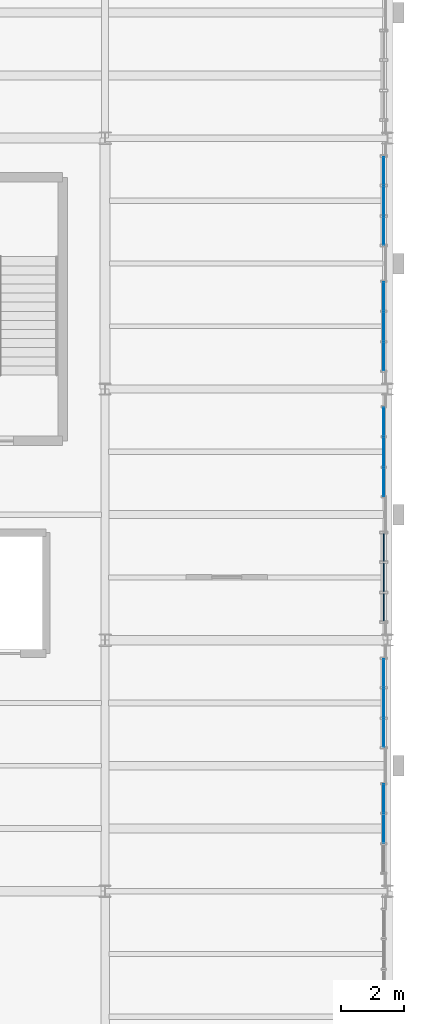
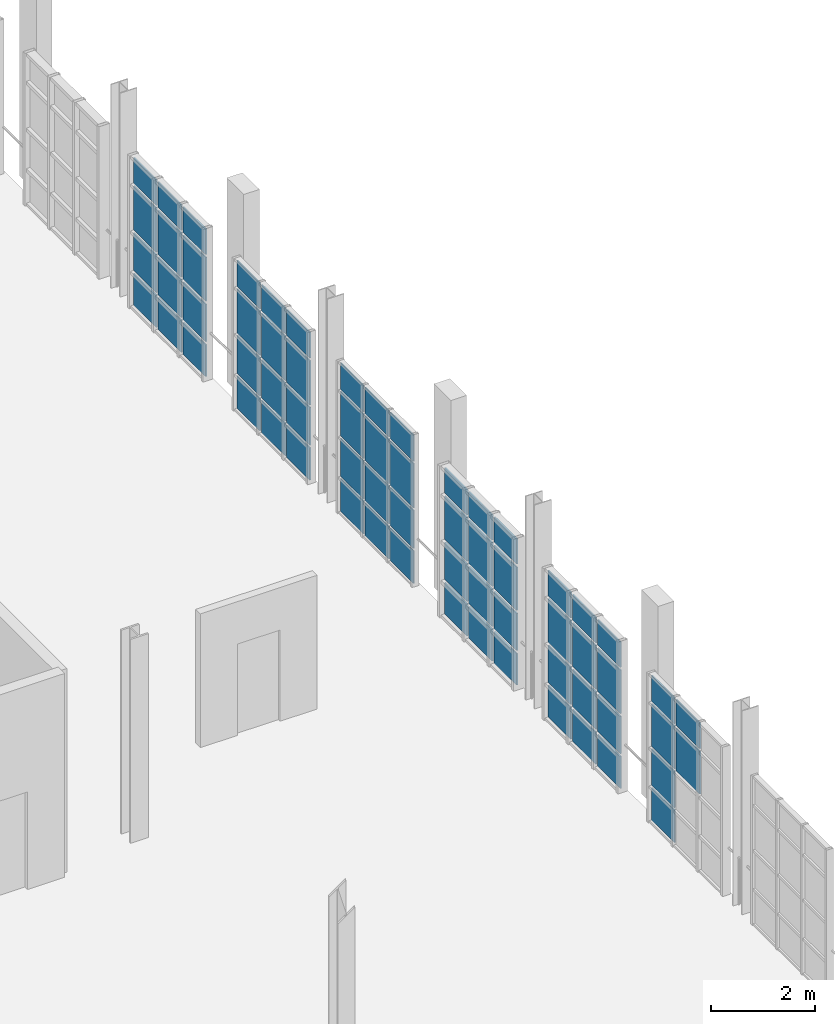
# One storey, part 92 of 122: 66 plates, 6 elements without a shape of their own.
"""IFC4 building model written with IfcOpenShell, lengths in metres."""

from ifc_helpers import new_model, si_unit, direction, frame, origin, origin_2d, place, context, subcontext, project, spatial, rectangle, extrude, material, layer, layer_set, type_object, element, aggregate, save


model = new_model("IFC4")

# Units and contexts
model_context = context("Model", 3, precision=1e-05, world=origin(), true_north=direction((0.0, 1.0)))
body_context = subcontext(model_context, "Body", "Model", "MODEL_VIEW")
ifc_project = project(units=[si_unit("LENGTHUNIT", "METRE"), si_unit("AREAUNIT", "SQUARE_METRE"), si_unit("VOLUMEUNIT", "CUBIC_METRE"), si_unit("PLANEANGLEUNIT", "RADIAN"), si_unit("MASSUNIT", "GRAM", prefix="KILO"), si_unit("THERMODYNAMICTEMPERATUREUNIT", "KELVIN"), si_unit("POWERUNIT", "WATT")], contexts=[model_context])

# Site, building, storey
site_placement = place(None, origin())
site = spatial("IfcSite", under=ifc_project, at=site_placement, CompositionType="ELEMENT")
building_placement = place(site_placement, origin())
building = spatial("IfcBuilding", under=site, at=building_placement, Name="Zelmaris Science Centre", CompositionType="ELEMENT")
storey_placement = place(building_placement, frame((0.0, 0.0, 10.800048828125)))
storey = spatial("IfcBuildingStorey", under=building, at=storey_placement, Name="L02", CompositionType="ELEMENT", Elevation=10.800048828125)

# Curtain wall, plates
ifc_material_1 = material(Name="Anodised architectural aluminium 6063-T6", Category="aluminium")
ifc_layer_1 = layer(ifc_material_1, 0.18994140625, Name="Anodised architectural aluminium 6063-T6")
ifc_layer_set_1 = layer_set([ifc_layer_1], Name="Anodised architectural aluminium 6063-T6")
curtain_wall_type_1 = type_object("IfcCurtainWallType", Name="Curtain Wall CW-01", PredefinedType="USERDEFINED", material=ifc_layer_set_1)
curtain_wall_1_placement = place(storey_placement, origin())
curtain_wall_1 = element("IfcCurtainWall", 1, at=curtain_wall_1_placement, inside=storey, type_object=curtain_wall_type_1, Name="L02 Unitised curtain wall 229", ObjectType="GLAZED CURTAIN WALL", PredefinedType="USERDEFINED")
ifc_material_2 = material(Name="Laminated hurricane-rated low-E insulated glazing", Category="glass")
ifc_layer_2 = layer(ifc_material_2, 0.031982421875, Name="Laminated hurricane-rated low-E insulated glazing")
ifc_layer_set_2 = layer_set([ifc_layer_2], Name="Laminated hurricane-rated low-E insulated glazing")
plate_type_1 = type_object("IfcPlateType", Name="Curtain Glazing Panel CWP-1 32mm", PredefinedType="CURTAIN_PANEL", material=ifc_layer_set_2)
plate_1_placement = place(storey_placement, frame((143.8798828125, 34.955322265625, 0.05712890625), z_axis=(0.0, 0.0, 1.0), x_axis=(0.0, -1.0, 0.0)))
plate_1 = element("IfcPlate", 2, at=plate_1_placement, type_object=plate_type_1, Name="CW-01 panel 1.1", PredefinedType="CURTAIN_PANEL", context=body_context, shape_type="SweptSolid", body=[
    extrude(rectangle(XDim=0.865234375, YDim=0.031982421875, at=origin_2d()), origin(), (0.0, 0.0, 1.0), 0.741943359375),
])
plate_2_placement = place(storey_placement, frame((143.8798828125, 34.955322265625, 0.870849609375), z_axis=(0.0, 0.0, 1.0), x_axis=(0.0, -1.0, 0.0)))
plate_2 = element("IfcPlate", 3, at=plate_2_placement, type_object=plate_type_1, Name="CW-01 panel 1.2", PredefinedType="CURTAIN_PANEL", context=body_context, shape_type="SweptSolid", body=[
    extrude(rectangle(XDim=0.865234375, YDim=0.031982421875, at=origin_2d()), origin(), (0.0, 0.0, 1.0), 0.8720703125),
])
plate_3_placement = place(storey_placement, frame((143.8798828125, 34.955322265625, 1.81494140625), z_axis=(0.0, 0.0, 1.0), x_axis=(0.0, -1.0, 0.0)))
plate_3 = element("IfcPlate", 4, at=plate_3_placement, type_object=plate_type_1, Name="CW-01 panel 1.3", PredefinedType="CURTAIN_PANEL", context=body_context, shape_type="SweptSolid", body=[
    extrude(rectangle(XDim=0.865234375, YDim=0.031982421875, at=origin_2d()), origin(), (0.0, 0.0, 1.0), 1.02197265625),
])
plate_4_placement = place(storey_placement, frame((143.8798828125, 34.955322265625, 2.90869140625), z_axis=(0.0, 0.0, 1.0), x_axis=(0.0, -1.0, 0.0)))
plate_4 = element("IfcPlate", 5, at=plate_4_placement, type_object=plate_type_1, Name="CW-01 panel 1.4", PredefinedType="CURTAIN_PANEL", context=body_context, shape_type="SweptSolid", body=[
    extrude(rectangle(XDim=0.865234375, YDim=0.031982421875, at=origin_2d()), origin(), (0.0, 0.0, 1.0), 0.592041015625),
])
plate_5_placement = place(storey_placement, frame((143.8798828125, 34.0, 0.05712890625), z_axis=(0.0, 0.0, 1.0), x_axis=(0.0, -1.0, 0.0)))
plate_5 = element("IfcPlate", 6, at=plate_5_placement, type_object=plate_type_1, Name="CW-01 panel 2.1", PredefinedType="CURTAIN_PANEL", context=body_context, shape_type="SweptSolid", body=[
    extrude(rectangle(XDim=0.9013671875, YDim=0.031982421875, at=origin_2d()), origin(), (0.0, 0.0, 1.0), 0.741943359375),
])
plate_6_placement = place(storey_placement, frame((143.8798828125, 34.0, 0.870849609375), z_axis=(0.0, 0.0, 1.0), x_axis=(0.0, -1.0, 0.0)))
plate_6 = element("IfcPlate", 7, at=plate_6_placement, type_object=plate_type_1, Name="CW-01 panel 2.2", PredefinedType="CURTAIN_PANEL", context=body_context, shape_type="SweptSolid", body=[
    extrude(rectangle(XDim=0.9013671875, YDim=0.031982421875, at=origin_2d()), origin(), (0.0, 0.0, 1.0), 0.8720703125),
])
plate_7_placement = place(storey_placement, frame((143.8798828125, 34.0, 1.81494140625), z_axis=(0.0, 0.0, 1.0), x_axis=(0.0, -1.0, 0.0)))
plate_7 = element("IfcPlate", 8, at=plate_7_placement, type_object=plate_type_1, Name="CW-01 panel 2.3", PredefinedType="CURTAIN_PANEL", context=body_context, shape_type="SweptSolid", body=[
    extrude(rectangle(XDim=0.9013671875, YDim=0.031982421875, at=origin_2d()), origin(), (0.0, 0.0, 1.0), 1.02197265625),
])
plate_8_placement = place(storey_placement, frame((143.8798828125, 34.0, 2.90869140625), z_axis=(0.0, 0.0, 1.0), x_axis=(0.0, -1.0, 0.0)))
plate_8 = element("IfcPlate", 9, at=plate_8_placement, type_object=plate_type_1, Name="CW-01 panel 2.4", PredefinedType="CURTAIN_PANEL", context=body_context, shape_type="SweptSolid", body=[
    extrude(rectangle(XDim=0.9013671875, YDim=0.031982421875, at=origin_2d()), origin(), (0.0, 0.0, 1.0), 0.592041015625),
])
plate_9_placement = place(storey_placement, frame((143.8798828125, 33.044677734375, 0.05712890625), z_axis=(0.0, 0.0, 1.0), x_axis=(0.0, -1.0, 0.0)))
plate_9 = element("IfcPlate", 10, at=plate_9_placement, type_object=plate_type_1, Name="CW-01 panel 3.1", PredefinedType="CURTAIN_PANEL", context=body_context, shape_type="SweptSolid", body=[
    extrude(rectangle(XDim=0.865234375, YDim=0.031982421875, at=origin_2d()), origin(), (0.0, 0.0, 1.0), 0.741943359375),
])
plate_10_placement = place(storey_placement, frame((143.8798828125, 33.044677734375, 0.870849609375), z_axis=(0.0, 0.0, 1.0), x_axis=(0.0, -1.0, 0.0)))
plate_10 = element("IfcPlate", 11, at=plate_10_placement, type_object=plate_type_1, Name="CW-01 panel 3.2", PredefinedType="CURTAIN_PANEL", context=body_context, shape_type="SweptSolid", body=[
    extrude(rectangle(XDim=0.865234375, YDim=0.031982421875, at=origin_2d()), origin(), (0.0, 0.0, 1.0), 0.8720703125),
])
plate_11_placement = place(storey_placement, frame((143.8798828125, 33.044677734375, 1.81494140625), z_axis=(0.0, 0.0, 1.0), x_axis=(0.0, -1.0, 0.0)))
plate_11 = element("IfcPlate", 12, at=plate_11_placement, type_object=plate_type_1, Name="CW-01 panel 3.3", PredefinedType="CURTAIN_PANEL", context=body_context, shape_type="SweptSolid", body=[
    extrude(rectangle(XDim=0.865234375, YDim=0.031982421875, at=origin_2d()), origin(), (0.0, 0.0, 1.0), 1.02197265625),
])
plate_12_placement = place(storey_placement, frame((143.8798828125, 33.044677734375, 2.90869140625), z_axis=(0.0, 0.0, 1.0), x_axis=(0.0, -1.0, 0.0)))
plate_12 = element("IfcPlate", 13, at=plate_12_placement, type_object=plate_type_1, Name="CW-01 panel 3.4", PredefinedType="CURTAIN_PANEL", context=body_context, shape_type="SweptSolid", body=[
    extrude(rectangle(XDim=0.865234375, YDim=0.031982421875, at=origin_2d()), origin(), (0.0, 0.0, 1.0), 0.592041015625),
])
aggregate(curtain_wall_1, [plate_1, plate_2, plate_3, plate_4, plate_5, plate_6, plate_7, plate_8, plate_9, plate_10, plate_11, plate_12])

ifc_layer_3 = layer(ifc_material_1, 0.199951171875, Name="Anodised architectural aluminium 6063-T6")
ifc_layer_set_3 = layer_set([ifc_layer_3], Name="Anodised architectural aluminium 6063-T6")
curtain_wall_type_2 = type_object("IfcCurtainWallType", Name="Curtain Wall CW-02", PredefinedType="USERDEFINED", material=ifc_layer_set_3)
curtain_wall_2_placement = place(storey_placement, origin())
curtain_wall_2 = element("IfcCurtainWall", 14, at=curtain_wall_2_placement, inside=storey, type_object=curtain_wall_type_2, Name="L02 Unitised curtain wall 226", ObjectType="GLAZED CURTAIN WALL", PredefinedType="USERDEFINED")
ifc_layer_4 = layer(ifc_material_2, 0.028076171875, Name="Laminated hurricane-rated low-E insulated glazing")
ifc_layer_set_4 = layer_set([ifc_layer_4], Name="Laminated hurricane-rated low-E insulated glazing")
plate_type_2 = type_object("IfcPlateType", Name="Curtain Glazing Panel CWP-2 28mm", PredefinedType="CURTAIN_PANEL", material=ifc_layer_set_4)
plate_13_placement = place(storey_placement, frame((143.8798828125, 46.95654296875, 0.052001953125), z_axis=(0.0, 0.0, 1.0), x_axis=(0.0, -1.0, 0.0)))
plate_13 = element("IfcPlate", 15, at=plate_13_placement, type_object=plate_type_2, Name="CW-02 panel 1.1", PredefinedType="CURTAIN_PANEL", context=body_context, shape_type="SweptSolid", body=[
    extrude(rectangle(XDim=0.872802734375, YDim=0.028076171875, at=origin_2d()), origin(), (0.0, 0.0, 1.0), 0.74951171875),
])
plate_14_placement = place(storey_placement, frame((143.8798828125, 46.95654296875, 0.86865234375), z_axis=(0.0, 0.0, 1.0), x_axis=(0.0, -1.0, 0.0)))
plate_14 = element("IfcPlate", 16, at=plate_14_placement, type_object=plate_type_2, Name="CW-02 panel 1.2", PredefinedType="CURTAIN_PANEL", context=body_context, shape_type="SweptSolid", body=[
    extrude(rectangle(XDim=0.872802734375, YDim=0.028076171875, at=origin_2d()), origin(), (0.0, 0.0, 1.0), 0.886962890625),
])
plate_15_placement = place(storey_placement, frame((143.8798828125, 46.95654296875, 1.822509765625), z_axis=(0.0, 0.0, 1.0), x_axis=(0.0, -1.0, 0.0)))
plate_15 = element("IfcPlate", 17, at=plate_15_placement, type_object=plate_type_2, Name="CW-02 panel 1.3", PredefinedType="CURTAIN_PANEL", context=body_context, shape_type="SweptSolid", body=[
    extrude(rectangle(XDim=0.872802734375, YDim=0.028076171875, at=origin_2d()), origin(), (0.0, 0.0, 1.0), 1.037109375),
])
plate_16_placement = place(storey_placement, frame((143.8798828125, 46.95654296875, 2.926513671875), z_axis=(0.0, 0.0, 1.0), x_axis=(0.0, -1.0, 0.0)))
plate_16 = element("IfcPlate", 18, at=plate_16_placement, type_object=plate_type_2, Name="CW-02 panel 1.4", PredefinedType="CURTAIN_PANEL", context=body_context, shape_type="SweptSolid", body=[
    extrude(rectangle(XDim=0.872802734375, YDim=0.028076171875, at=origin_2d()), origin(), (0.0, 0.0, 1.0), 0.599609375),
])
plate_17_placement = place(storey_placement, frame((143.8798828125, 46.0, 0.052001953125), z_axis=(0.0, 0.0, 1.0), x_axis=(0.0, -1.0, 0.0)))
plate_17 = element("IfcPlate", 19, at=plate_17_placement, type_object=plate_type_2, Name="CW-02 panel 2.1", PredefinedType="CURTAIN_PANEL", context=body_context, shape_type="SweptSolid", body=[
    extrude(rectangle(XDim=0.90625, YDim=0.028076171875, at=origin_2d()), origin(), (0.0, 0.0, 1.0), 0.74951171875),
])
plate_18_placement = place(storey_placement, frame((143.8798828125, 46.0, 0.86865234375), z_axis=(0.0, 0.0, 1.0), x_axis=(0.0, -1.0, 0.0)))
plate_18 = element("IfcPlate", 20, at=plate_18_placement, type_object=plate_type_2, Name="CW-02 panel 2.2", PredefinedType="CURTAIN_PANEL", context=body_context, shape_type="SweptSolid", body=[
    extrude(rectangle(XDim=0.90625, YDim=0.028076171875, at=origin_2d()), origin(), (0.0, 0.0, 1.0), 0.886962890625),
])
plate_19_placement = place(storey_placement, frame((143.8798828125, 46.0, 1.822509765625), z_axis=(0.0, 0.0, 1.0), x_axis=(0.0, -1.0, 0.0)))
plate_19 = element("IfcPlate", 21, at=plate_19_placement, type_object=plate_type_2, Name="CW-02 panel 2.3", PredefinedType="CURTAIN_PANEL", context=body_context, shape_type="SweptSolid", body=[
    extrude(rectangle(XDim=0.90625, YDim=0.028076171875, at=origin_2d()), origin(), (0.0, 0.0, 1.0), 1.037109375),
])
plate_20_placement = place(storey_placement, frame((143.8798828125, 46.0, 2.926513671875), z_axis=(0.0, 0.0, 1.0), x_axis=(0.0, -1.0, 0.0)))
plate_20 = element("IfcPlate", 22, at=plate_20_placement, type_object=plate_type_2, Name="CW-02 panel 2.4", PredefinedType="CURTAIN_PANEL", context=body_context, shape_type="SweptSolid", body=[
    extrude(rectangle(XDim=0.90625, YDim=0.028076171875, at=origin_2d()), origin(), (0.0, 0.0, 1.0), 0.599609375),
])
plate_21_placement = place(storey_placement, frame((143.8798828125, 45.04345703125, 0.052001953125), z_axis=(0.0, 0.0, 1.0), x_axis=(0.0, -1.0, 0.0)))
plate_21 = element("IfcPlate", 23, at=plate_21_placement, type_object=plate_type_2, Name="CW-02 panel 3.1", PredefinedType="CURTAIN_PANEL", context=body_context, shape_type="SweptSolid", body=[
    extrude(rectangle(XDim=0.872802734375, YDim=0.028076171875, at=origin_2d()), origin(), (0.0, 0.0, 1.0), 0.74951171875),
])
plate_22_placement = place(storey_placement, frame((143.8798828125, 45.04345703125, 0.86865234375), z_axis=(0.0, 0.0, 1.0), x_axis=(0.0, -1.0, 0.0)))
plate_22 = element("IfcPlate", 24, at=plate_22_placement, type_object=plate_type_2, Name="CW-02 panel 3.2", PredefinedType="CURTAIN_PANEL", context=body_context, shape_type="SweptSolid", body=[
    extrude(rectangle(XDim=0.872802734375, YDim=0.028076171875, at=origin_2d()), origin(), (0.0, 0.0, 1.0), 0.886962890625),
])
plate_23_placement = place(storey_placement, frame((143.8798828125, 45.04345703125, 1.822509765625), z_axis=(0.0, 0.0, 1.0), x_axis=(0.0, -1.0, 0.0)))
plate_23 = element("IfcPlate", 25, at=plate_23_placement, type_object=plate_type_2, Name="CW-02 panel 3.3", PredefinedType="CURTAIN_PANEL", context=body_context, shape_type="SweptSolid", body=[
    extrude(rectangle(XDim=0.872802734375, YDim=0.028076171875, at=origin_2d()), origin(), (0.0, 0.0, 1.0), 1.037109375),
])
plate_24_placement = place(storey_placement, frame((143.8798828125, 45.04345703125, 2.926513671875), z_axis=(0.0, 0.0, 1.0), x_axis=(0.0, -1.0, 0.0)))
plate_24 = element("IfcPlate", 26, at=plate_24_placement, type_object=plate_type_2, Name="CW-02 panel 3.4", PredefinedType="CURTAIN_PANEL", context=body_context, shape_type="SweptSolid", body=[
    extrude(rectangle(XDim=0.872802734375, YDim=0.028076171875, at=origin_2d()), origin(), (0.0, 0.0, 1.0), 0.599609375),
])
aggregate(curtain_wall_2, [plate_13, plate_14, plate_15, plate_16, plate_17, plate_18, plate_19, plate_20, plate_21, plate_22, plate_23, plate_24])

curtain_wall_3_placement = place(storey_placement, origin())
curtain_wall_3 = element("IfcCurtainWall", 27, at=curtain_wall_3_placement, inside=storey, type_object=curtain_wall_type_2, Name="L02 Unitised curtain wall 230", ObjectType="GLAZED CURTAIN WALL", PredefinedType="USERDEFINED")
plate_25_placement = place(storey_placement, frame((143.8798828125, 30.95654296875, 0.052001953125), z_axis=(0.0, 0.0, 1.0), x_axis=(0.0, -1.0, 0.0)))
plate_25 = element("IfcPlate", 28, at=plate_25_placement, type_object=plate_type_2, Name="CW-02 panel 1.1", PredefinedType="CURTAIN_PANEL", context=body_context, shape_type="SweptSolid", body=[
    extrude(rectangle(XDim=0.872802734375, YDim=0.028076171875, at=origin_2d()), origin(), (0.0, 0.0, 1.0), 0.74951171875),
])
plate_26_placement = place(storey_placement, frame((143.8798828125, 30.95654296875, 0.868408203125), z_axis=(0.0, 0.0, 1.0), x_axis=(0.0, -1.0, 0.0)))
plate_26 = element("IfcPlate", 29, at=plate_26_placement, type_object=plate_type_2, Name="CW-02 panel 1.2", PredefinedType="CURTAIN_PANEL", context=body_context, shape_type="SweptSolid", body=[
    extrude(rectangle(XDim=0.872802734375, YDim=0.028076171875, at=origin_2d()), origin(), (0.0, 0.0, 1.0), 0.876953125),
])
plate_27_placement = place(storey_placement, frame((143.8798828125, 30.95654296875, 1.8125), z_axis=(0.0, 0.0, 1.0), x_axis=(0.0, -1.0, 0.0)))
plate_27 = element("IfcPlate", 30, at=plate_27_placement, type_object=plate_type_2, Name="CW-02 panel 1.3", PredefinedType="CURTAIN_PANEL", context=body_context, shape_type="SweptSolid", body=[
    extrude(rectangle(XDim=0.872802734375, YDim=0.028076171875, at=origin_2d()), origin(), (0.0, 0.0, 1.0), 1.027099609375),
])
plate_28_placement = place(storey_placement, frame((143.8798828125, 30.95654296875, 2.906494140625), z_axis=(0.0, 0.0, 1.0), x_axis=(0.0, -1.0, 0.0)))
plate_28 = element("IfcPlate", 31, at=plate_28_placement, type_object=plate_type_2, Name="CW-02 panel 1.4", PredefinedType="CURTAIN_PANEL", context=body_context, shape_type="SweptSolid", body=[
    extrude(rectangle(XDim=0.872802734375, YDim=0.028076171875, at=origin_2d()), origin(), (0.0, 0.0, 1.0), 0.599609375),
])
plate_29_placement = place(storey_placement, frame((143.8798828125, 30.0, 0.052001953125), z_axis=(0.0, 0.0, 1.0), x_axis=(0.0, -1.0, 0.0)))
plate_29 = element("IfcPlate", 32, at=plate_29_placement, type_object=plate_type_2, Name="CW-02 panel 2.1", PredefinedType="CURTAIN_PANEL", context=body_context, shape_type="SweptSolid", body=[
    extrude(rectangle(XDim=0.90625, YDim=0.028076171875, at=origin_2d()), origin(), (0.0, 0.0, 1.0), 0.74951171875),
])
plate_30_placement = place(storey_placement, frame((143.8798828125, 30.0, 0.868408203125), z_axis=(0.0, 0.0, 1.0), x_axis=(0.0, -1.0, 0.0)))
plate_30 = element("IfcPlate", 33, at=plate_30_placement, type_object=plate_type_2, Name="CW-02 panel 2.2", PredefinedType="CURTAIN_PANEL", context=body_context, shape_type="SweptSolid", body=[
    extrude(rectangle(XDim=0.90625, YDim=0.028076171875, at=origin_2d()), origin(), (0.0, 0.0, 1.0), 0.876953125),
])
plate_31_placement = place(storey_placement, frame((143.8798828125, 30.0, 1.8125), z_axis=(0.0, 0.0, 1.0), x_axis=(0.0, -1.0, 0.0)))
plate_31 = element("IfcPlate", 34, at=plate_31_placement, type_object=plate_type_2, Name="CW-02 panel 2.3", PredefinedType="CURTAIN_PANEL", context=body_context, shape_type="SweptSolid", body=[
    extrude(rectangle(XDim=0.90625, YDim=0.028076171875, at=origin_2d()), origin(), (0.0, 0.0, 1.0), 1.027099609375),
])
plate_32_placement = place(storey_placement, frame((143.8798828125, 30.0, 2.906494140625), z_axis=(0.0, 0.0, 1.0), x_axis=(0.0, -1.0, 0.0)))
plate_32 = element("IfcPlate", 35, at=plate_32_placement, type_object=plate_type_2, Name="CW-02 panel 2.4", PredefinedType="CURTAIN_PANEL", context=body_context, shape_type="SweptSolid", body=[
    extrude(rectangle(XDim=0.90625, YDim=0.028076171875, at=origin_2d()), origin(), (0.0, 0.0, 1.0), 0.599609375),
])
plate_33_placement = place(storey_placement, frame((143.8798828125, 29.04345703125, 0.052001953125), z_axis=(0.0, 0.0, 1.0), x_axis=(0.0, -1.0, 0.0)))
plate_33 = element("IfcPlate", 36, at=plate_33_placement, type_object=plate_type_2, Name="CW-02 panel 3.1", PredefinedType="CURTAIN_PANEL", context=body_context, shape_type="SweptSolid", body=[
    extrude(rectangle(XDim=0.872802734375, YDim=0.028076171875, at=origin_2d()), origin(), (0.0, 0.0, 1.0), 0.74951171875),
])
plate_34_placement = place(storey_placement, frame((143.8798828125, 29.04345703125, 0.868408203125), z_axis=(0.0, 0.0, 1.0), x_axis=(0.0, -1.0, 0.0)))
plate_34 = element("IfcPlate", 37, at=plate_34_placement, type_object=plate_type_2, Name="CW-02 panel 3.2", PredefinedType="CURTAIN_PANEL", context=body_context, shape_type="SweptSolid", body=[
    extrude(rectangle(XDim=0.872802734375, YDim=0.028076171875, at=origin_2d()), origin(), (0.0, 0.0, 1.0), 0.876953125),
])
plate_35_placement = place(storey_placement, frame((143.8798828125, 29.04345703125, 1.8125), z_axis=(0.0, 0.0, 1.0), x_axis=(0.0, -1.0, 0.0)))
plate_35 = element("IfcPlate", 38, at=plate_35_placement, type_object=plate_type_2, Name="CW-02 panel 3.3", PredefinedType="CURTAIN_PANEL", context=body_context, shape_type="SweptSolid", body=[
    extrude(rectangle(XDim=0.872802734375, YDim=0.028076171875, at=origin_2d()), origin(), (0.0, 0.0, 1.0), 1.027099609375),
])
plate_36_placement = place(storey_placement, frame((143.8798828125, 29.04345703125, 2.906494140625), z_axis=(0.0, 0.0, 1.0), x_axis=(0.0, -1.0, 0.0)))
plate_36 = element("IfcPlate", 39, at=plate_36_placement, type_object=plate_type_2, Name="CW-02 panel 3.4", PredefinedType="CURTAIN_PANEL", context=body_context, shape_type="SweptSolid", body=[
    extrude(rectangle(XDim=0.872802734375, YDim=0.028076171875, at=origin_2d()), origin(), (0.0, 0.0, 1.0), 0.599609375),
])
aggregate(curtain_wall_3, [plate_25, plate_26, plate_27, plate_28, plate_29, plate_30, plate_31, plate_32, plate_33, plate_34, plate_35, plate_36])

ifc_layer_5 = layer(ifc_material_1, 0.2099609375, Name="Anodised architectural aluminium 6063-T6")
ifc_layer_set_5 = layer_set([ifc_layer_5], Name="Anodised architectural aluminium 6063-T6")
curtain_wall_type_3 = type_object("IfcCurtainWallType", Name="Curtain Wall CW-03", PredefinedType="USERDEFINED", material=ifc_layer_set_5)
curtain_wall_4_placement = place(storey_placement, origin())
curtain_wall_4 = element("IfcCurtainWall", 40, at=curtain_wall_4_placement, inside=storey, type_object=curtain_wall_type_3, Name="L02 Unitised curtain wall 227", ObjectType="GLAZED CURTAIN WALL", PredefinedType="USERDEFINED")
ifc_layer_6 = layer(ifc_material_2, 0.02587890625, Name="Laminated hurricane-rated low-E insulated glazing")
ifc_layer_set_6 = layer_set([ifc_layer_6], Name="Laminated hurricane-rated low-E insulated glazing")
plate_type_3 = type_object("IfcPlateType", Name="Curtain Glazing Panel CWP-3 26mm", PredefinedType="CURTAIN_PANEL", material=ifc_layer_set_6)
plate_37_placement = place(storey_placement, frame((143.8798828125, 42.958984375, 0.0419921875), z_axis=(0.0, 0.0, 1.0), x_axis=(0.0, -1.0, 0.0)))
plate_37 = element("IfcPlate", 41, at=plate_37_placement, type_object=plate_type_3, Name="CW-03 panel 1.1", PredefinedType="CURTAIN_PANEL", context=body_context, shape_type="SweptSolid", body=[
    extrude(rectangle(XDim=0.887939453125, YDim=0.02587890625, at=origin_2d()), origin(), (0.0, 0.0, 1.0), 0.764404296875),
])
plate_38_placement = place(storey_placement, frame((143.8798828125, 42.958984375, 0.863525390625), z_axis=(0.0, 0.0, 1.0), x_axis=(0.0, -1.0, 0.0)))
plate_38 = element("IfcPlate", 42, at=plate_38_placement, type_object=plate_type_3, Name="CW-03 panel 1.2", PredefinedType="CURTAIN_PANEL", context=body_context, shape_type="SweptSolid", body=[
    extrude(rectangle(XDim=0.887939453125, YDim=0.02587890625, at=origin_2d()), origin(), (0.0, 0.0, 1.0), 0.8935546875),
])
plate_39_placement = place(storey_placement, frame((143.8798828125, 42.958984375, 1.81396484375), z_axis=(0.0, 0.0, 1.0), x_axis=(0.0, -1.0, 0.0)))
plate_39 = element("IfcPlate", 43, at=plate_39_placement, type_object=plate_type_3, Name="CW-03 panel 1.3", PredefinedType="CURTAIN_PANEL", context=body_context, shape_type="SweptSolid", body=[
    extrude(rectangle(XDim=0.887939453125, YDim=0.02587890625, at=origin_2d()), origin(), (0.0, 0.0, 1.0), 1.04345703125),
])
plate_40_placement = place(storey_placement, frame((143.8798828125, 42.958984375, 2.91455078125), z_axis=(0.0, 0.0, 1.0), x_axis=(0.0, -1.0, 0.0)))
plate_40 = element("IfcPlate", 44, at=plate_40_placement, type_object=plate_type_3, Name="CW-03 panel 1.4", PredefinedType="CURTAIN_PANEL", context=body_context, shape_type="SweptSolid", body=[
    extrude(rectangle(XDim=0.887939453125, YDim=0.02587890625, at=origin_2d()), origin(), (0.0, 0.0, 1.0), 0.614501953125),
])
plate_41_placement = place(storey_placement, frame((143.8798828125, 42.0, 0.0419921875), z_axis=(0.0, 0.0, 1.0), x_axis=(0.0, -1.0, 0.0)))
plate_41 = element("IfcPlate", 45, at=plate_41_placement, type_object=plate_type_3, Name="CW-03 panel 2.1", PredefinedType="CURTAIN_PANEL", context=body_context, shape_type="SweptSolid", body=[
    extrude(rectangle(XDim=0.916259765625, YDim=0.02587890625, at=origin_2d()), origin(), (0.0, 0.0, 1.0), 0.764404296875),
])
plate_42_placement = place(storey_placement, frame((143.8798828125, 42.0, 0.863525390625), z_axis=(0.0, 0.0, 1.0), x_axis=(0.0, -1.0, 0.0)))
plate_42 = element("IfcPlate", 46, at=plate_42_placement, type_object=plate_type_3, Name="CW-03 panel 2.2", PredefinedType="CURTAIN_PANEL", context=body_context, shape_type="SweptSolid", body=[
    extrude(rectangle(XDim=0.916259765625, YDim=0.02587890625, at=origin_2d()), origin(), (0.0, 0.0, 1.0), 0.8935546875),
])
plate_43_placement = place(storey_placement, frame((143.8798828125, 42.0, 1.81396484375), z_axis=(0.0, 0.0, 1.0), x_axis=(0.0, -1.0, 0.0)))
plate_43 = element("IfcPlate", 47, at=plate_43_placement, type_object=plate_type_3, Name="CW-03 panel 2.3", PredefinedType="CURTAIN_PANEL", context=body_context, shape_type="SweptSolid", body=[
    extrude(rectangle(XDim=0.916259765625, YDim=0.02587890625, at=origin_2d()), origin(), (0.0, 0.0, 1.0), 1.04345703125),
])
plate_44_placement = place(storey_placement, frame((143.8798828125, 42.0, 2.91455078125), z_axis=(0.0, 0.0, 1.0), x_axis=(0.0, -1.0, 0.0)))
plate_44 = element("IfcPlate", 48, at=plate_44_placement, type_object=plate_type_3, Name="CW-03 panel 2.4", PredefinedType="CURTAIN_PANEL", context=body_context, shape_type="SweptSolid", body=[
    extrude(rectangle(XDim=0.916259765625, YDim=0.02587890625, at=origin_2d()), origin(), (0.0, 0.0, 1.0), 0.614501953125),
])
plate_45_placement = place(storey_placement, frame((143.8798828125, 41.041015625, 0.0419921875), z_axis=(0.0, 0.0, 1.0), x_axis=(0.0, -1.0, 0.0)))
plate_45 = element("IfcPlate", 49, at=plate_45_placement, type_object=plate_type_3, Name="CW-03 panel 3.1", PredefinedType="CURTAIN_PANEL", context=body_context, shape_type="SweptSolid", body=[
    extrude(rectangle(XDim=0.887939453125, YDim=0.02587890625, at=origin_2d()), origin(), (0.0, 0.0, 1.0), 0.764404296875),
])
plate_46_placement = place(storey_placement, frame((143.8798828125, 41.041015625, 0.863525390625), z_axis=(0.0, 0.0, 1.0), x_axis=(0.0, -1.0, 0.0)))
plate_46 = element("IfcPlate", 50, at=plate_46_placement, type_object=plate_type_3, Name="CW-03 panel 3.2", PredefinedType="CURTAIN_PANEL", context=body_context, shape_type="SweptSolid", body=[
    extrude(rectangle(XDim=0.887939453125, YDim=0.02587890625, at=origin_2d()), origin(), (0.0, 0.0, 1.0), 0.8935546875),
])
plate_47_placement = place(storey_placement, frame((143.8798828125, 41.041015625, 1.81396484375), z_axis=(0.0, 0.0, 1.0), x_axis=(0.0, -1.0, 0.0)))
plate_47 = element("IfcPlate", 51, at=plate_47_placement, type_object=plate_type_3, Name="CW-03 panel 3.3", PredefinedType="CURTAIN_PANEL", context=body_context, shape_type="SweptSolid", body=[
    extrude(rectangle(XDim=0.887939453125, YDim=0.02587890625, at=origin_2d()), origin(), (0.0, 0.0, 1.0), 1.04345703125),
])
plate_48_placement = place(storey_placement, frame((143.8798828125, 41.041015625, 2.91455078125), z_axis=(0.0, 0.0, 1.0), x_axis=(0.0, -1.0, 0.0)))
plate_48 = element("IfcPlate", 52, at=plate_48_placement, type_object=plate_type_3, Name="CW-03 panel 3.4", PredefinedType="CURTAIN_PANEL", context=body_context, shape_type="SweptSolid", body=[
    extrude(rectangle(XDim=0.887939453125, YDim=0.02587890625, at=origin_2d()), origin(), (0.0, 0.0, 1.0), 0.614501953125),
])
aggregate(curtain_wall_4, [plate_37, plate_38, plate_39, plate_40, plate_41, plate_42, plate_43, plate_44, plate_45, plate_46, plate_47, plate_48])

curtain_wall_5_placement = place(storey_placement, origin())
curtain_wall_5 = element("IfcCurtainWall", 53, at=curtain_wall_5_placement, inside=storey, type_object=curtain_wall_type_3, Name="L02 Unitised curtain wall 231", ObjectType="GLAZED CURTAIN WALL", PredefinedType="USERDEFINED")
plate_49_placement = place(storey_placement, frame((143.8798828125, 26.958984375, 0.0419921875), z_axis=(0.0, 0.0, 1.0), x_axis=(0.0, -1.0, 0.0)))
plate_49 = element("IfcPlate", 54, at=plate_49_placement, type_object=plate_type_3, Name="CW-03 panel 1.1", PredefinedType="CURTAIN_PANEL", context=body_context, shape_type="SweptSolid", body=[
    extrude(rectangle(XDim=0.887939453125, YDim=0.02587890625, at=origin_2d()), origin(), (0.0, 0.0, 1.0), 0.764404296875),
])
plate_50_placement = place(storey_placement, frame((143.8798828125, 26.958984375, 0.863525390625), z_axis=(0.0, 0.0, 1.0), x_axis=(0.0, -1.0, 0.0)))
plate_50 = element("IfcPlate", 55, at=plate_50_placement, type_object=plate_type_3, Name="CW-03 panel 1.2", PredefinedType="CURTAIN_PANEL", context=body_context, shape_type="SweptSolid", body=[
    extrude(rectangle(XDim=0.887939453125, YDim=0.02587890625, at=origin_2d()), origin(), (0.0, 0.0, 1.0), 0.857421875),
])
plate_51_placement = place(storey_placement, frame((143.8798828125, 26.958984375, 1.77783203125), z_axis=(0.0, 0.0, 1.0), x_axis=(0.0, -1.0, 0.0)))
plate_51 = element("IfcPlate", 56, at=plate_51_placement, type_object=plate_type_3, Name="CW-03 panel 1.3", PredefinedType="CURTAIN_PANEL", context=body_context, shape_type="SweptSolid", body=[
    extrude(rectangle(XDim=0.887939453125, YDim=0.02587890625, at=origin_2d()), origin(), (0.0, 0.0, 1.0), 1.007568359375),
])
plate_52_placement = place(storey_placement, frame((143.8798828125, 26.958984375, 2.84228515625), z_axis=(0.0, 0.0, 1.0), x_axis=(0.0, -1.0, 0.0)))
plate_52 = element("IfcPlate", 57, at=plate_52_placement, type_object=plate_type_3, Name="CW-03 panel 1.4", PredefinedType="CURTAIN_PANEL", context=body_context, shape_type="SweptSolid", body=[
    extrude(rectangle(XDim=0.887939453125, YDim=0.02587890625, at=origin_2d()), origin(), (0.0, 0.0, 1.0), 0.614501953125),
])
plate_53_placement = place(storey_placement, frame((143.8798828125, 26.0, 1.77783203125), z_axis=(0.0, 0.0, 1.0), x_axis=(0.0, -1.0, 0.0)))
plate_53 = element("IfcPlate", 58, at=plate_53_placement, type_object=plate_type_3, Name="CW-03 panel 2.3", PredefinedType="CURTAIN_PANEL", context=body_context, shape_type="SweptSolid", body=[
    extrude(rectangle(XDim=0.916259765625, YDim=0.02587890625, at=origin_2d()), origin(), (0.0, 0.0, 1.0), 1.007568359375),
])
plate_54_placement = place(storey_placement, frame((143.8798828125, 26.0, 2.84228515625), z_axis=(0.0, 0.0, 1.0), x_axis=(0.0, -1.0, 0.0)))
plate_54 = element("IfcPlate", 59, at=plate_54_placement, type_object=plate_type_3, Name="CW-03 panel 2.4", PredefinedType="CURTAIN_PANEL", context=body_context, shape_type="SweptSolid", body=[
    extrude(rectangle(XDim=0.916259765625, YDim=0.02587890625, at=origin_2d()), origin(), (0.0, 0.0, 1.0), 0.614501953125),
])
aggregate(curtain_wall_5, [plate_49, plate_50, plate_51, plate_52, plate_53, plate_54])

ifc_layer_7 = layer(ifc_material_1, 0.219970703125, Name="Anodised architectural aluminium 6063-T6")
ifc_layer_set_7 = layer_set([ifc_layer_7], Name="Anodised architectural aluminium 6063-T6")
curtain_wall_type_4 = type_object("IfcCurtainWallType", Name="Curtain Wall CW-04", PredefinedType="USERDEFINED", material=ifc_layer_set_7)
curtain_wall_6_placement = place(storey_placement, origin())
curtain_wall_6 = element("IfcCurtainWall", 60, at=curtain_wall_6_placement, inside=storey, type_object=curtain_wall_type_4, Name="L02 Unitised curtain wall 228", ObjectType="GLAZED CURTAIN WALL", PredefinedType="USERDEFINED")
ifc_layer_8 = layer(ifc_material_2, 0.02392578125, Name="Laminated hurricane-rated low-E insulated glazing")
ifc_layer_set_8 = layer_set([ifc_layer_8], Name="Laminated hurricane-rated low-E insulated glazing")
plate_type_4 = type_object("IfcPlateType", Name="Curtain Glazing Panel CWP-4 24mm", PredefinedType="CURTAIN_PANEL", material=ifc_layer_set_8)
plate_55_placement = place(storey_placement, frame((143.8798828125, 38.96044921875, 0.036865234375), z_axis=(0.0, 0.0, 1.0), x_axis=(0.0, -1.0, 0.0)))
plate_55 = element("IfcPlate", 61, at=plate_55_placement, type_object=plate_type_4, Name="CW-04 panel 1.1", PredefinedType="CURTAIN_PANEL", context=body_context, shape_type="SweptSolid", body=[
    extrude(rectangle(XDim=0.895263671875, YDim=0.02392578125, at=origin_2d()), origin(), (0.0, 0.0, 1.0), 0.77197265625),
])
plate_56_placement = place(storey_placement, frame((143.8798828125, 38.96044921875, 0.861083984375), z_axis=(0.0, 0.0, 1.0), x_axis=(0.0, -1.0, 0.0)))
plate_56 = element("IfcPlate", 62, at=plate_56_placement, type_object=plate_type_4, Name="CW-04 panel 1.2", PredefinedType="CURTAIN_PANEL", context=body_context, shape_type="SweptSolid", body=[
    extrude(rectangle(XDim=0.895263671875, YDim=0.02392578125, at=origin_2d()), origin(), (0.0, 0.0, 1.0), 0.8984375),
])
plate_57_placement = place(storey_placement, frame((143.8798828125, 38.96044921875, 1.8115234375), z_axis=(0.0, 0.0, 1.0), x_axis=(0.0, -1.0, 0.0)))
plate_57 = element("IfcPlate", 63, at=plate_57_placement, type_object=plate_type_4, Name="CW-04 panel 1.3", PredefinedType="CURTAIN_PANEL", context=body_context, shape_type="SweptSolid", body=[
    extrude(rectangle(XDim=0.895263671875, YDim=0.02392578125, at=origin_2d()), origin(), (0.0, 0.0, 1.0), 1.048583984375),
])
plate_58_placement = place(storey_placement, frame((143.8798828125, 38.96044921875, 2.911865234375), z_axis=(0.0, 0.0, 1.0), x_axis=(0.0, -1.0, 0.0)))
plate_58 = element("IfcPlate", 64, at=plate_58_placement, type_object=plate_type_4, Name="CW-04 panel 1.4", PredefinedType="CURTAIN_PANEL", context=body_context, shape_type="SweptSolid", body=[
    extrude(rectangle(XDim=0.895263671875, YDim=0.02392578125, at=origin_2d()), origin(), (0.0, 0.0, 1.0), 0.6220703125),
])
plate_59_placement = place(storey_placement, frame((143.8798828125, 38.0, 0.036865234375), z_axis=(0.0, 0.0, 1.0), x_axis=(0.0, -1.0, 0.0)))
plate_59 = element("IfcPlate", 65, at=plate_59_placement, type_object=plate_type_4, Name="CW-04 panel 2.1", PredefinedType="CURTAIN_PANEL", context=body_context, shape_type="SweptSolid", body=[
    extrude(rectangle(XDim=0.92138671875, YDim=0.02392578125, at=origin_2d()), origin(), (0.0, 0.0, 1.0), 0.77197265625),
])
plate_60_placement = place(storey_placement, frame((143.8798828125, 38.0, 0.861083984375), z_axis=(0.0, 0.0, 1.0), x_axis=(0.0, -1.0, 0.0)))
plate_60 = element("IfcPlate", 66, at=plate_60_placement, type_object=plate_type_4, Name="CW-04 panel 2.2", PredefinedType="CURTAIN_PANEL", context=body_context, shape_type="SweptSolid", body=[
    extrude(rectangle(XDim=0.92138671875, YDim=0.02392578125, at=origin_2d()), origin(), (0.0, 0.0, 1.0), 0.8984375),
])
plate_61_placement = place(storey_placement, frame((143.8798828125, 38.0, 1.8115234375), z_axis=(0.0, 0.0, 1.0), x_axis=(0.0, -1.0, 0.0)))
plate_61 = element("IfcPlate", 67, at=plate_61_placement, type_object=plate_type_4, Name="CW-04 panel 2.3", PredefinedType="CURTAIN_PANEL", context=body_context, shape_type="SweptSolid", body=[
    extrude(rectangle(XDim=0.92138671875, YDim=0.02392578125, at=origin_2d()), origin(), (0.0, 0.0, 1.0), 1.048583984375),
])
plate_62_placement = place(storey_placement, frame((143.8798828125, 38.0, 2.911865234375), z_axis=(0.0, 0.0, 1.0), x_axis=(0.0, -1.0, 0.0)))
plate_62 = element("IfcPlate", 68, at=plate_62_placement, type_object=plate_type_4, Name="CW-04 panel 2.4", PredefinedType="CURTAIN_PANEL", context=body_context, shape_type="SweptSolid", body=[
    extrude(rectangle(XDim=0.92138671875, YDim=0.02392578125, at=origin_2d()), origin(), (0.0, 0.0, 1.0), 0.6220703125),
])
plate_63_placement = place(storey_placement, frame((143.8798828125, 37.03955078125, 0.036865234375), z_axis=(0.0, 0.0, 1.0), x_axis=(0.0, -1.0, 0.0)))
plate_63 = element("IfcPlate", 69, at=plate_63_placement, type_object=plate_type_4, Name="CW-04 panel 3.1", PredefinedType="CURTAIN_PANEL", context=body_context, shape_type="SweptSolid", body=[
    extrude(rectangle(XDim=0.895263671875, YDim=0.02392578125, at=origin_2d()), origin(), (0.0, 0.0, 1.0), 0.77197265625),
])
plate_64_placement = place(storey_placement, frame((143.8798828125, 37.03955078125, 0.861083984375), z_axis=(0.0, 0.0, 1.0), x_axis=(0.0, -1.0, 0.0)))
plate_64 = element("IfcPlate", 70, at=plate_64_placement, type_object=plate_type_4, Name="CW-04 panel 3.2", PredefinedType="CURTAIN_PANEL", context=body_context, shape_type="SweptSolid", body=[
    extrude(rectangle(XDim=0.895263671875, YDim=0.02392578125, at=origin_2d()), origin(), (0.0, 0.0, 1.0), 0.8984375),
])
plate_65_placement = place(storey_placement, frame((143.8798828125, 37.03955078125, 1.8115234375), z_axis=(0.0, 0.0, 1.0), x_axis=(0.0, -1.0, 0.0)))
plate_65 = element("IfcPlate", 71, at=plate_65_placement, type_object=plate_type_4, Name="CW-04 panel 3.3", PredefinedType="CURTAIN_PANEL", context=body_context, shape_type="SweptSolid", body=[
    extrude(rectangle(XDim=0.895263671875, YDim=0.02392578125, at=origin_2d()), origin(), (0.0, 0.0, 1.0), 1.048583984375),
])
plate_66_placement = place(storey_placement, frame((143.8798828125, 37.03955078125, 2.911865234375), z_axis=(0.0, 0.0, 1.0), x_axis=(0.0, -1.0, 0.0)))
plate_66 = element("IfcPlate", 72, at=plate_66_placement, type_object=plate_type_4, Name="CW-04 panel 3.4", PredefinedType="CURTAIN_PANEL", context=body_context, shape_type="SweptSolid", body=[
    extrude(rectangle(XDim=0.895263671875, YDim=0.02392578125, at=origin_2d()), origin(), (0.0, 0.0, 1.0), 0.6220703125),
])
aggregate(curtain_wall_6, [plate_55, plate_56, plate_57, plate_58, plate_59, plate_60, plate_61, plate_62, plate_63, plate_64, plate_65, plate_66])

save(model, "model.ifc")
